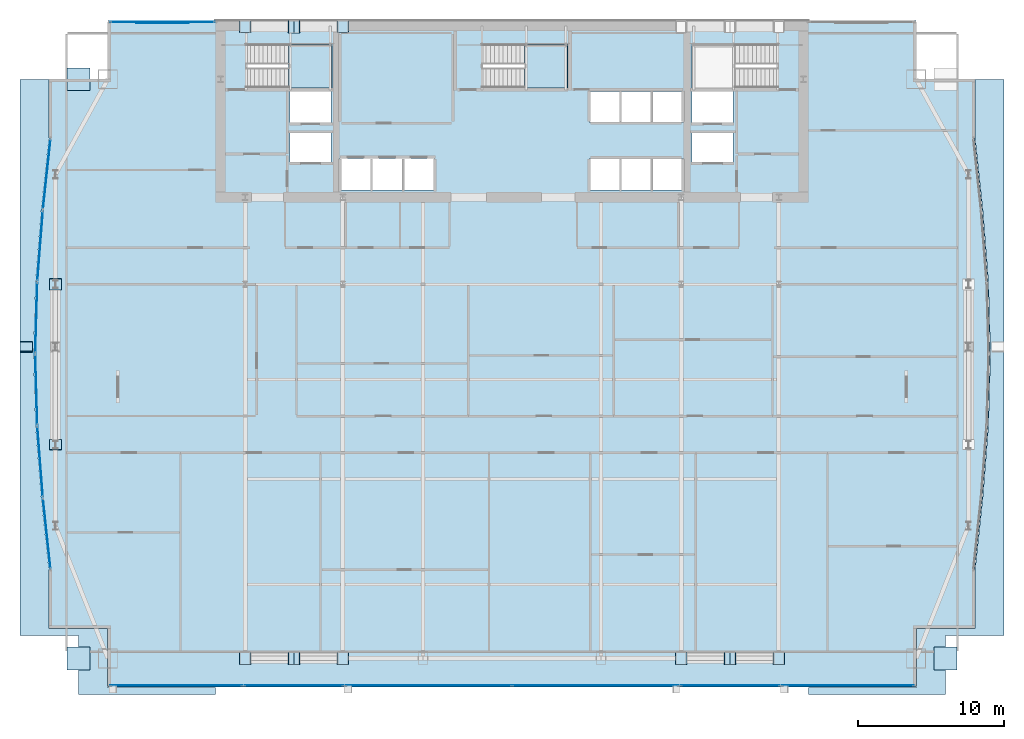
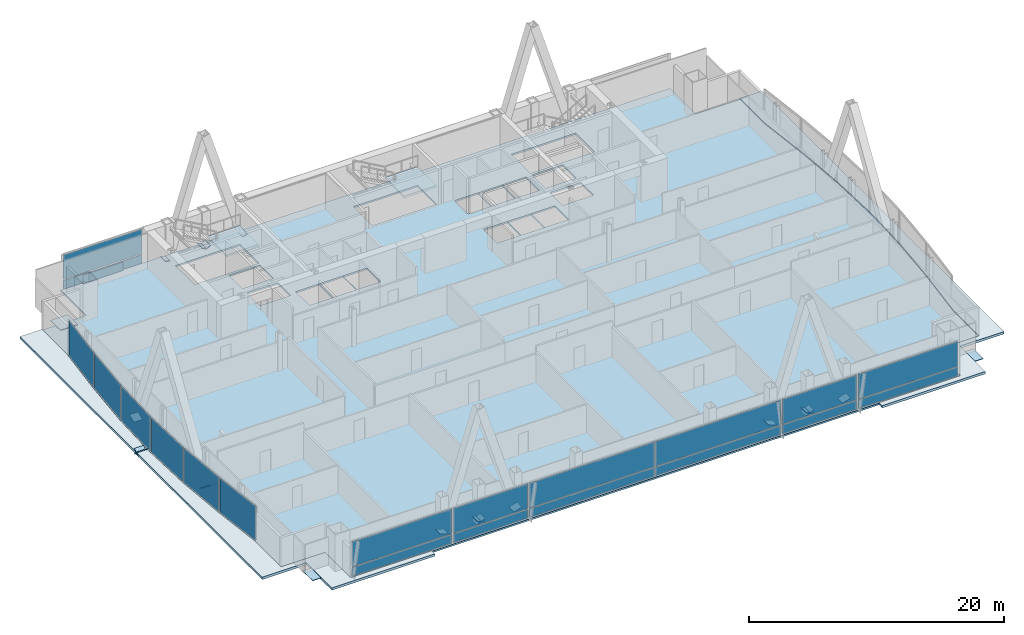
# One storey, part 23 of 30: 40 plates, 5 slabs, 14 elements without a shape of their own.
"""IFC4 building model written with IfcOpenShell, lengths in metres."""

import ifcopenshell
import ifcopenshell.guid

model = None  # the IFC model being written
_history = None  # IfcOwnerHistory: only IFC2X3 demands one
_inside = {}  # id of a spatial element -> (the spatial element, [elements in it])
_under = {}  # id of a project, library or spatial element -> (it, [spatial elements below it])
_declared = {}  # id of a project -> (the project, [libraries it declares])
_typed = {}  # id of a type object -> (the type object, [elements of that type])
_made_of = {}  # id of a material, layer set ... -> (it, [elements and type objects made of it])


def new_model(schema):
    """Start an empty IFC model of exactly this schema.

    Asked for "IFC4X3", IfcOpenShell would pick the latest addendum, in which some entities
    have other attributes; the version numbers below select the first issue.
    IFC2X3 requires an IfcOwnerHistory on every rooted entity: one is made here for all.
    """
    global model, _history
    if schema == "IFC4X3":
        model = ifcopenshell.file(schema_version=(4, 3, 0, 0))
    else:
        model = ifcopenshell.file(schema=schema)
    _inside.clear()
    _under.clear()
    _declared.clear()
    _typed.clear()
    _made_of.clear()
    _history = None
    if model.schema == "IFC2X3":
        org = make("IfcOrganization", Name="unknown")
        user = make(
            "IfcPersonAndOrganization",
            ThePerson=make("IfcPerson", FamilyName="unknown"),
            TheOrganization=org,
        )
        app = make(
            "IfcApplication",
            ApplicationDeveloper=org,
            Version="unknown",
            ApplicationFullName="unknown",
            ApplicationIdentifier="unknown",
        )
        _history = make(
            "IfcOwnerHistory",
            OwningUser=user,
            OwningApplication=app,
            ChangeAction="ADDED",
            CreationDate=0,
        )
    return model


def make(cls, **values):
    """One entity of the class cls with the attributes given. An attribute that is None is left unset."""
    return model.create_entity(
        cls, **{name: value for name, value in values.items() if value is not None}
    )


def rooted(cls, **values):
    """An entity with a GlobalId (a new one), such as an element, a storey or a relation."""
    return make(cls, GlobalId=ifcopenshell.guid.new(), OwnerHistory=_history, **values)


def si_unit(unit_type, name, prefix=None):
    """IfcSIUnit, for example si_unit("LENGTHUNIT", "METRE", prefix="MILLI")."""
    return make("IfcSIUnit", UnitType=unit_type, Prefix=prefix, Name=name)


def assignment(units):
    """IfcUnitAssignment: the units of a project."""
    return None if units is None else make("IfcUnitAssignment", Units=units)


def point(xyz):
    """IfcCartesianPoint."""
    return None if xyz is None else make("IfcCartesianPoint", Coordinates=xyz)


def direction(xyz):
    """IfcDirection."""
    return None if xyz is None else make("IfcDirection", DirectionRatios=xyz)


def frame(location, z_axis=None, x_axis=None):
    """IfcAxis2Placement3D, a coordinate frame: its origin and axes. An axis left out is left unset."""
    return make(
        "IfcAxis2Placement3D",
        Location=point(location),
        Axis=direction(z_axis),
        RefDirection=direction(x_axis),
    )


def frame_2d(location, x_axis=None):
    """IfcAxis2Placement2D, a coordinate frame in the plane: its origin and x axis."""
    return make(
        "IfcAxis2Placement2D", Location=point(location), RefDirection=direction(x_axis)
    )


def origin():
    """The frame at (0, 0, 0) with its axes left unset."""
    return frame((0.0, 0.0, 0.0))


def origin_2d():
    """The frame at (0, 0) in the plane with its x axis left unset."""
    return frame_2d((0.0, 0.0))


def place(relative_to, where):
    """IfcLocalPlacement: puts the frame where relative to a parent placement (None: the world)."""
    return make(
        "IfcLocalPlacement", PlacementRelTo=relative_to, RelativePlacement=where
    )


def context(
    kind, dimensions, precision=None, world=None, true_north=None, identifier=None
):
    """IfcGeometricRepresentationContext, for example the 3D "Model" context."""
    return make(
        "IfcGeometricRepresentationContext",
        ContextIdentifier=identifier,
        ContextType=kind,
        CoordinateSpaceDimension=dimensions,
        Precision=precision,
        WorldCoordinateSystem=world,
        TrueNorth=true_north,
    )


def subcontext(parent, identifier, kind, view, scale=None):
    """IfcGeometricRepresentationSubContext, for example "Body" below "Model"."""
    return make(
        "IfcGeometricRepresentationSubContext",
        ContextIdentifier=identifier,
        ContextType=kind,
        ParentContext=parent,
        TargetScale=scale,
        TargetView=view,
    )


def project(units=None, contexts=None):
    """IfcProject with its units and contexts."""
    return rooted(
        "IfcProject",
        Name="project",
        RepresentationContexts=contexts,
        UnitsInContext=assignment(units),
    )


def spatial(cls, under=None, at=None, **own):
    """A site, building, storey or space (cls), placed at a placement, below another one or the project."""
    s = rooted(cls, ObjectPlacement=at, **own)
    if under is not None:
        _under.setdefault(under.id(), (under, []))[1].append(s)
    return s


def polyline(points):
    """IfcPolyline through the points."""
    return make("IfcPolyline", Points=[point(p) for p in points])


def profile(cls, at=None, kind="AREA", **sizes):
    """A parametric profile (cls). Its sizes go by their IFC names, for example OverallWidth=200.0."""
    return make(cls, ProfileType=kind, Position=at, **sizes)


def rectangle(**sizes):
    """IfcRectangleProfileDef."""
    return profile("IfcRectangleProfileDef", **sizes)


def outline(outer, holes=None, kind="AREA"):
    """IfcArbitraryClosedProfileDef: a profile drawn as a closed curve; with holes, ...WithVoids."""
    if holes is None:
        return make("IfcArbitraryClosedProfileDef", ProfileType=kind, OuterCurve=outer)
    return make(
        "IfcArbitraryProfileDefWithVoids",
        ProfileType=kind,
        OuterCurve=outer,
        InnerCurves=holes,
    )


def extrude(swept, where, along, depth):
    """IfcExtrudedAreaSolid: the profile swept, set in the frame where, extruded along a direction by depth."""
    return make(
        "IfcExtrudedAreaSolid",
        SweptArea=swept,
        Position=where,
        ExtrudedDirection=direction(along),
        Depth=depth,
    )


def shape(context_of_items, identifier, shape_type, items):
    """IfcShapeRepresentation: the items that make up one representation, for example the "Body"."""
    return make(
        "IfcShapeRepresentation",
        ContextOfItems=context_of_items,
        RepresentationIdentifier=identifier,
        RepresentationType=shape_type,
        Items=items,
    )


def material(Name=None, Category=None):
    """IfcMaterial."""
    return make("IfcMaterial", Name=Name, Category=Category)


def layer(
    of_material, thickness, ventilated=None, Name=None, Category=None, Priority=None
):
    """IfcMaterialLayer: one layer of a wall or slab, of a material (None: an air gap)."""
    return make(
        "IfcMaterialLayer",
        Material=of_material,
        LayerThickness=thickness,
        IsVentilated=ventilated,
        Name=Name,
        Category=Category,
        Priority=Priority,
    )


def layer_set(layers, Name=None):
    """IfcMaterialLayerSet."""
    return make("IfcMaterialLayerSet", MaterialLayers=layers, LayerSetName=Name)


def made_of(thing, what):
    """Note that an element or type object is made of a material, layer set ...; save() writes the relation."""
    if what is not None:
        _made_of.setdefault(what.id(), (what, []))[1].append(thing)
    return thing


def type_object(cls, material=None, **own):
    """A type object (cls), such as IfcWallType, which elements share."""
    return made_of(rooted(cls, **own), material)


def element(
    cls,
    number,
    at=None,
    inside=None,
    cuts=None,
    type_object=None,
    material=None,
    context=None,
    identifier="Body",
    shape_type=None,
    held_by="IfcProductDefinitionShape",
    body=None,
    shapes=None,
    **own,
):
    """One element of the class cls, such as IfcWall. Its Tag is "e" and its number.

    at: its placement. inside: the storey or other place that contains it. cuts: it is an
    opening in that element (IfcRelVoidsElement). A single representation is given by context,
    identifier, shape_type and body (its items); several are given by shapes. held_by: the class
    of the entity that holds the representations. save() writes the other relations.
    """
    e = rooted(cls, Tag="e%d" % number, ObjectPlacement=at, **own)
    if body is not None:
        shapes = [shape(context, identifier, shape_type, body)]
    if shapes is not None:
        e.Representation = make(held_by, Representations=shapes)
    if inside is not None:
        _inside.setdefault(inside.id(), (inside, []))[1].append(e)
    if cuts is not None:
        rooted(
            "IfcRelVoidsElement", RelatingBuildingElement=cuts, RelatedOpeningElement=e
        )
    if type_object is not None:
        _typed.setdefault(type_object.id(), (type_object, []))[1].append(e)
    return made_of(e, material)


def aggregate(whole, parts):
    """IfcRelAggregates: a whole, such as a stair, and the parts it consists of."""
    return rooted("IfcRelAggregates", RelatingObject=whole, RelatedObjects=parts)


def save(model, path):
    """Write the relations noted so far, then the file.

    IfcRelAggregates (storeys below a building ...), IfcRelContainedInSpatialStructure (elements
    in a storey), IfcRelDefinesByType, IfcRelAssociatesMaterial and IfcRelDeclares: one each for
    every whole, place, type object, material and project.
    """
    for whole, parts in _under.values():
        aggregate(whole, parts)
    for where, things in _inside.values():
        rooted(
            "IfcRelContainedInSpatialStructure",
            RelatedElements=things,
            RelatingStructure=where,
        )
    for kind, things in _typed.values():
        rooted("IfcRelDefinesByType", RelatedObjects=things, RelatingType=kind)
    for what, things in _made_of.values():
        rooted("IfcRelAssociatesMaterial", RelatedObjects=things, RelatingMaterial=what)
    for by, libraries in _declared.values():
        rooted("IfcRelDeclares", RelatingContext=by, RelatedDefinitions=libraries)
    model.write(path)


model = new_model("IFC4")

# Units and contexts
model_context = context("Model", 3, precision=1e-05, world=origin(), true_north=direction((0.0, 1.0)))
body_context = subcontext(model_context, "Body", "Model", "MODEL_VIEW")
ifc_project = project(units=[si_unit("LENGTHUNIT", "METRE"), si_unit("AREAUNIT", "SQUARE_METRE"), si_unit("VOLUMEUNIT", "CUBIC_METRE"), si_unit("PLANEANGLEUNIT", "RADIAN"), si_unit("MASSUNIT", "GRAM", prefix="KILO")], contexts=[model_context])

# Site, building, storey
site_placement = place(None, origin())
site = spatial("IfcSite", under=ifc_project, at=site_placement, CompositionType="ELEMENT")
building_placement = place(site_placement, origin())
building = spatial("IfcBuilding", under=site, at=building_placement, Name="Khoronbel Lancet Exchange", CompositionType="ELEMENT")
storey_placement = place(building_placement, frame((0.0, 0.0, 136.199951171875)))
storey = spatial("IfcBuildingStorey", under=building, at=storey_placement, Name="L33", CompositionType="ELEMENT", Elevation=136.199951171875)

# Curtain wall, plate
ifc_material_1 = material(Name="Low-E Solar Control Insulating Glass", Category="glass")
curtain_wall_type_1 = type_object("IfcCurtainWallType", Name="CW-4", PredefinedType="NOTDEFINED", material=ifc_material_1)
curtain_wall_1_placement = place(storey_placement, origin())
curtain_wall_1 = element("IfcCurtainWall", 1, at=curtain_wall_1_placement, inside=storey, type_object=curtain_wall_type_1, Name="Unitised curtain wall CW-L33-E05", PredefinedType="NOTDEFINED")
ifc_material_2 = material(Name="Bronze-Anodised Aluminium 6063-T6", Category="aluminium")
ifc_layer_1 = layer(ifc_material_2, 0.050048828125, Name="Bronze-Anodised Aluminium 6063-T6")
ifc_layer_set_1 = layer_set([ifc_layer_1], Name="Bronze-Anodised Aluminium 6063-T6")
plate_type_1 = type_object("IfcPlateType", Name="PLT-CSP1", PredefinedType="SHEET", material=ifc_layer_set_1)
plate_1_placement = place(storey_placement, frame((4.22265625, 23.58154296875, 0.0849609375), z_axis=(0.0, 0.0, 1.0), x_axis=(-0.077920756627, 0.996959555693, 0.0)))
plate_1 = element("IfcPlate", 2, at=plate_1_placement, type_object=plate_type_1, Name="CW4 panel 1.1", PredefinedType="CURTAIN_PANEL", context=body_context, shape_type="SweptSolid", body=[
    extrude(rectangle(XDim=4.778076171875, YDim=0.0380859375, at=origin_2d()), origin(), (0.0, 0.0, 1.0), 3.27001953125),
])
aggregate(curtain_wall_1, [plate_1])

curtain_wall_2_placement = place(storey_placement, origin())
curtain_wall_2 = element("IfcCurtainWall", 3, at=curtain_wall_2_placement, inside=storey, type_object=curtain_wall_type_1, Name="Unitised curtain wall CW-L33-E06", PredefinedType="NOTDEFINED")
plate_2_placement = place(storey_placement, frame((3.960205078125, 28.494140625, 0.0849609375), z_axis=(0.0, 0.0, 1.0), x_axis=(-0.028612641702, 0.999590574553, 0.0)))
plate_2 = element("IfcPlate", 4, at=plate_2_placement, type_object=plate_type_1, Name="CW4 panel 1.1", PredefinedType="CURTAIN_PANEL", context=body_context, shape_type="SweptSolid", body=[
    extrude(rectangle(XDim=4.763916015625, YDim=0.0380859375, at=origin_2d()), origin(), (0.0, 0.0, 1.0), 3.27001953125),
])
aggregate(curtain_wall_2, [plate_2])

curtain_wall_3_placement = place(storey_placement, origin())
curtain_wall_3 = element("IfcCurtainWall", 5, at=curtain_wall_3_placement, inside=storey, type_object=curtain_wall_type_1, Name="Unitised curtain wall CW-L33-E07", PredefinedType="NOTDEFINED")
plate_3_placement = place(storey_placement, frame((3.960205078125, 33.406005859375, 0.0849609375), z_axis=(0.0, 0.0, 1.0), x_axis=(0.028612641702, 0.999590574553, 0.0)))
plate_3 = element("IfcPlate", 6, at=plate_3_placement, type_object=plate_type_1, Name="CW4 panel 1.1", PredefinedType="CURTAIN_PANEL", context=body_context, shape_type="SweptSolid", body=[
    extrude(rectangle(XDim=4.763916015625, YDim=0.0380859375, at=origin_2d()), origin(), (0.0, 0.0, 1.0), 3.27001953125),
])
aggregate(curtain_wall_3, [plate_3])

curtain_wall_4_placement = place(storey_placement, origin())
curtain_wall_4 = element("IfcCurtainWall", 7, at=curtain_wall_4_placement, inside=storey, type_object=curtain_wall_type_1, Name="Unitised curtain wall CW-L33-E08", PredefinedType="NOTDEFINED")
plate_4_placement = place(storey_placement, frame((4.22265625, 38.318359375, 0.0849609375), z_axis=(0.0, 0.0, 1.0), x_axis=(0.077920756627, 0.996959555693, 0.0)))
plate_4 = element("IfcPlate", 8, at=plate_4_placement, type_object=plate_type_1, Name="CW4 panel 1.1", PredefinedType="CURTAIN_PANEL", context=body_context, shape_type="SweptSolid", body=[
    extrude(rectangle(XDim=4.778076171875, YDim=0.0380859375, at=origin_2d()), origin(), (0.0, 0.0, 1.0), 3.27001953125),
])
aggregate(curtain_wall_4, [plate_4])

curtain_wall_type_2 = type_object("IfcCurtainWallType", Name="CW-3", PredefinedType="NOTDEFINED", material=ifc_material_1)
curtain_wall_5_placement = place(storey_placement, origin())
curtain_wall_5 = element("IfcCurtainWall", 9, at=curtain_wall_5_placement, inside=storey, type_object=curtain_wall_type_2, Name="Unitised curtain wall CW-L33-NWFLK", PredefinedType="NOTDEFINED")
plate_5_placement = place(storey_placement, frame((12.580078125, 53.550048828125, 0.0498046875), z_axis=(0.0, 0.0, 1.0), x_axis=(-1.0, 0.0, 0.0)))
plate_5 = element("IfcPlate", 10, at=plate_5_placement, type_object=plate_type_1, Name="Insulated bronze spandrel cassette CW-L33-NWFLK", PredefinedType="SHEET", context=body_context, shape_type="SweptSolid", body=[
    extrude(rectangle(XDim=3.60009765625, YDim=0.050048828125, at=origin_2d()), origin(), (0.0, 0.0, 1.0), 0.800048828125),
])

# Curtain wall, plates
curtain_wall_6_placement = place(storey_placement, origin())
curtain_wall_6 = element("IfcCurtainWall", 11, at=curtain_wall_6_placement, inside=storey, type_object=curtain_wall_type_2, Name="Unitised curtain wall CW-L33-SWB", PredefinedType="NOTDEFINED")
plate_6_placement = place(storey_placement, frame((21.550048828125, 8.2900390625, 0.0849609375), z_axis=(0.0, 0.0, 1.0), x_axis=(1.0, 0.0, 0.0)))
plate_6 = element("IfcPlate", 12, at=plate_6_placement, type_object=plate_type_1, Name="CW3 panel 1.1", PredefinedType="CURTAIN_PANEL", context=body_context, shape_type="SweptSolid", body=[
    extrude(rectangle(XDim=6.72998046875, YDim=0.0380859375, at=origin_2d()), origin(), (0.0, 0.0, 1.0), 0.822509765625),
])
plate_7_placement = place(storey_placement, frame((21.550048828125, 8.2900390625, 0.99267578125), z_axis=(0.0, 0.0, 1.0), x_axis=(1.0, 0.0, 0.0)))
plate_7 = element("IfcPlate", 13, at=plate_7_placement, type_object=plate_type_1, Name="CW3 panel 1.2", PredefinedType="CURTAIN_PANEL", context=body_context, shape_type="SweptSolid", body=[
    extrude(rectangle(XDim=6.72998046875, YDim=0.0380859375, at=origin_2d()), origin(), (0.0, 0.0, 1.0), 2.362548828125),
])
aggregate(curtain_wall_6, [plate_6, plate_7])

curtain_wall_7_placement = place(storey_placement, origin())
curtain_wall_7 = element("IfcCurtainWall", 14, at=curtain_wall_7_placement, inside=storey, type_object=curtain_wall_type_2, Name="Unitised curtain wall CW-L33-SEB", PredefinedType="NOTDEFINED")
plate_8_placement = place(storey_placement, frame((51.35009765625, 8.2900390625, 0.0849609375), z_axis=(0.0, 0.0, 1.0), x_axis=(1.0, 0.0, 0.0)))
plate_8 = element("IfcPlate", 15, at=plate_8_placement, type_object=plate_type_1, Name="CW3 panel 1.1", PredefinedType="CURTAIN_PANEL", context=body_context, shape_type="SweptSolid", body=[
    extrude(rectangle(XDim=6.72998046875, YDim=0.0380859375, at=origin_2d()), origin(), (0.0, 0.0, 1.0), 0.822509765625),
])
plate_9_placement = place(storey_placement, frame((51.35009765625, 8.2900390625, 0.99267578125), z_axis=(0.0, 0.0, 1.0), x_axis=(1.0, 0.0, 0.0)))
plate_9 = element("IfcPlate", 16, at=plate_9_placement, type_object=plate_type_1, Name="CW3 panel 1.2", PredefinedType="CURTAIN_PANEL", context=body_context, shape_type="SweptSolid", body=[
    extrude(rectangle(XDim=6.72998046875, YDim=0.0380859375, at=origin_2d()), origin(), (0.0, 0.0, 1.0), 2.362548828125),
])
aggregate(curtain_wall_7, [plate_8, plate_9])

# Plate
ifc_layer_2 = layer(ifc_material_1, 0.035888671875, Name="Low-E Solar Control Insulating Glass")
ifc_layer_set_2 = layer_set([ifc_layer_2], Name="Low-E Solar Control Insulating Glass")
plate_type_2 = type_object("IfcPlateType", Name="PLT-CWP1", PredefinedType="CURTAIN_PANEL", material=ifc_layer_set_2)
plate_10_placement = place(storey_placement, frame((12.580078125, 53.610107421875, 0.0849609375), z_axis=(0.0, 0.0, 1.0), x_axis=(-1.0, 0.0, 0.0)))
plate_10 = element("IfcPlate", 17, at=plate_10_placement, type_object=plate_type_2, Name="CW3 panel 1.1", PredefinedType="CURTAIN_PANEL", context=body_context, shape_type="SweptSolid", body=[
    extrude(rectangle(XDim=7.110107421875, YDim=0.0380859375, at=origin_2d()), origin(), (0.0, 0.0, 1.0), 0.822509765625),
])

plate_11_placement = place(storey_placement, frame((12.580078125, 53.610107421875, 0.99267578125), z_axis=(0.0, 0.0, 1.0), x_axis=(-1.0, 0.0, 0.0)))
plate_11 = element("IfcPlate", 18, at=plate_11_placement, type_object=plate_type_2, Name="CW3 panel 1.2", PredefinedType="CURTAIN_PANEL", context=body_context, shape_type="SweptSolid", body=[
    extrude(rectangle(XDim=7.110107421875, YDim=0.0380859375, at=origin_2d()), origin(), (0.0, 0.0, 1.0), 2.362548828125),
])

aggregate(curtain_wall_5, [plate_10, plate_11, plate_5])

# Curtain wall, plates
curtain_wall_8_placement = place(storey_placement, origin())
curtain_wall_8 = element("IfcCurtainWall", 19, at=curtain_wall_8_placement, inside=storey, type_object=curtain_wall_type_2, Name="Unitised curtain wall CW-L33-SWV", PredefinedType="NOTDEFINED")
plate_12_placement = place(storey_placement, frame((13.52001953125, 8.2900390625, 0.0849609375), z_axis=(0.0, 0.0, 1.0), x_axis=(1.0, 0.0, 0.0)))
plate_12 = element("IfcPlate", 20, at=plate_12_placement, type_object=plate_type_2, Name="CW3 panel 1.1", PredefinedType="CURTAIN_PANEL", context=body_context, shape_type="SweptSolid", body=[
    extrude(rectangle(XDim=8.989990234375, YDim=0.0380859375, at=origin_2d()), origin(), (0.0, 0.0, 1.0), 0.822509765625),
])
plate_13_placement = place(storey_placement, frame((13.52001953125, 8.2900390625, 0.99267578125), z_axis=(0.0, 0.0, 1.0), x_axis=(1.0, 0.0, 0.0)))
plate_13 = element("IfcPlate", 21, at=plate_13_placement, type_object=plate_type_2, Name="CW3 panel 1.2", PredefinedType="CURTAIN_PANEL", context=body_context, shape_type="SweptSolid", body=[
    extrude(rectangle(XDim=8.989990234375, YDim=0.0380859375, at=origin_2d()), origin(), (0.0, 0.0, 1.0), 2.362548828125),
])
aggregate(curtain_wall_8, [plate_12, plate_13])

curtain_wall_9_placement = place(storey_placement, origin())
curtain_wall_9 = element("IfcCurtainWall", 22, at=curtain_wall_9_placement, inside=storey, type_object=curtain_wall_type_2, Name="Unitised curtain wall CW-L33-SCV", PredefinedType="NOTDEFINED")
plate_14_placement = place(storey_placement, frame((30.746337890625, 8.2900390625, 0.0849609375), z_axis=(0.0, 0.0, 1.0), x_axis=(1.0, 0.0, 0.0)))
plate_14 = element("IfcPlate", 23, at=plate_14_placement, type_object=plate_type_2, Name="CW3 panel 1.1", PredefinedType="CURTAIN_PANEL", context=body_context, shape_type="SweptSolid", body=[
    extrude(rectangle(XDim=11.322509765625, YDim=0.0380859375, at=origin_2d()), origin(), (0.0, 0.0, 1.0), 0.822509765625),
])
plate_15_placement = place(storey_placement, frame((30.746337890625, 8.2900390625, 0.99267578125), z_axis=(0.0, 0.0, 1.0), x_axis=(1.0, 0.0, 0.0)))
plate_15 = element("IfcPlate", 24, at=plate_15_placement, type_object=plate_type_2, Name="CW3 panel 1.2", PredefinedType="CURTAIN_PANEL", context=body_context, shape_type="SweptSolid", body=[
    extrude(rectangle(XDim=11.322509765625, YDim=0.0380859375, at=origin_2d()), origin(), (0.0, 0.0, 1.0), 2.362548828125),
])
plate_16_placement = place(storey_placement, frame((42.15380859375, 8.2900390625, 0.0849609375), z_axis=(0.0, 0.0, 1.0), x_axis=(1.0, 0.0, 0.0)))
plate_16 = element("IfcPlate", 25, at=plate_16_placement, type_object=plate_type_2, Name="CW3 panel 2.1", PredefinedType="CURTAIN_PANEL", context=body_context, shape_type="SweptSolid", body=[
    extrude(rectangle(XDim=11.322509765625, YDim=0.0380859375, at=origin_2d()), origin(), (0.0, 0.0, 1.0), 0.822509765625),
])
plate_17_placement = place(storey_placement, frame((42.15380859375, 8.2900390625, 0.99267578125), z_axis=(0.0, 0.0, 1.0), x_axis=(1.0, 0.0, 0.0)))
plate_17 = element("IfcPlate", 26, at=plate_17_placement, type_object=plate_type_2, Name="CW3 panel 2.2", PredefinedType="CURTAIN_PANEL", context=body_context, shape_type="SweptSolid", body=[
    extrude(rectangle(XDim=11.322509765625, YDim=0.0380859375, at=origin_2d()), origin(), (0.0, 0.0, 1.0), 2.362548828125),
])
aggregate(curtain_wall_9, [plate_14, plate_15, plate_16, plate_17])

curtain_wall_10_placement = place(storey_placement, origin())
curtain_wall_10 = element("IfcCurtainWall", 27, at=curtain_wall_10_placement, inside=storey, type_object=curtain_wall_type_2, Name="Unitised curtain wall CW-L33-SEV", PredefinedType="NOTDEFINED")
plate_18_placement = place(storey_placement, frame((59.3798828125, 8.2900390625, 0.0849609375), z_axis=(0.0, 0.0, 1.0), x_axis=(1.0, 0.0, 0.0)))
plate_18 = element("IfcPlate", 28, at=plate_18_placement, type_object=plate_type_2, Name="CW3 panel 1.1", PredefinedType="CURTAIN_PANEL", context=body_context, shape_type="SweptSolid", body=[
    extrude(rectangle(XDim=8.989990234375, YDim=0.0380859375, at=origin_2d()), origin(), (0.0, 0.0, 1.0), 0.822509765625),
])
plate_19_placement = place(storey_placement, frame((59.3798828125, 8.2900390625, 0.99267578125), z_axis=(0.0, 0.0, 1.0), x_axis=(1.0, 0.0, 0.0)))
plate_19 = element("IfcPlate", 29, at=plate_19_placement, type_object=plate_type_2, Name="CW3 panel 1.2", PredefinedType="CURTAIN_PANEL", context=body_context, shape_type="SweptSolid", body=[
    extrude(rectangle(XDim=8.989990234375, YDim=0.0380859375, at=origin_2d()), origin(), (0.0, 0.0, 1.0), 2.362548828125),
])
aggregate(curtain_wall_10, [plate_18, plate_19])

# Curtain wall, plate
curtain_wall_11_placement = place(storey_placement, origin())
curtain_wall_11 = element("IfcCurtainWall", 30, at=curtain_wall_11_placement, inside=storey, type_object=curtain_wall_type_1, Name="Unitised curtain wall CW-L33-E04", PredefinedType="NOTDEFINED")
ifc_material_3 = material(Name="Ceramic-Fritted Laminated Insulating Glass", Category="glass")
ifc_layer_3 = layer(ifc_material_3, 0.0419921875, Name="Ceramic-Fritted Laminated Insulating Glass")
ifc_layer_set_3 = layer_set([ifc_layer_3], Name="Ceramic-Fritted Laminated Insulating Glass")
plate_type_3 = type_object("IfcPlateType", Name="PLT-CWP2", PredefinedType="CURTAIN_PANEL", material=ifc_layer_set_3)
plate_20_placement = place(storey_placement, frame((4.67724609375, 18.664794921875, 0.0849609375), z_axis=(0.0, 0.0, 1.0), x_axis=(-0.106180610586, 0.994346859972, 0.0)))
plate_20 = element("IfcPlate", 31, at=plate_20_placement, type_object=plate_type_3, Name="CW4 panel 1.1", PredefinedType="CURTAIN_PANEL", context=body_context, shape_type="SweptSolid", body=[
    extrude(rectangle(XDim=4.798095703125, YDim=0.0380859375, at=origin_2d()), origin(), (0.0, 0.0, 1.0), 3.27001953125),
])
aggregate(curtain_wall_11, [plate_20])

curtain_wall_12_placement = place(storey_placement, origin())
curtain_wall_12 = element("IfcCurtainWall", 32, at=curtain_wall_12_placement, inside=storey, type_object=curtain_wall_type_1, Name="Unitised curtain wall CW-L33-E09", PredefinedType="NOTDEFINED")
plate_21_placement = place(storey_placement, frame((4.67724609375, 43.235107421875, 0.0849609375), z_axis=(0.0, 0.0, 1.0), x_axis=(0.106180610586, 0.994346859972, 0.0)))
plate_21 = element("IfcPlate", 33, at=plate_21_placement, type_object=plate_type_3, Name="CW4 panel 1.1", PredefinedType="CURTAIN_PANEL", context=body_context, shape_type="SweptSolid", body=[
    extrude(rectangle(XDim=4.798095703125, YDim=0.0380859375, at=origin_2d()), origin(), (0.0, 0.0, 1.0), 3.27001953125),
])
aggregate(curtain_wall_12, [plate_21])

# Plates
ifc_material_4 = material(Name="Steel S460", Category="steel")
ifc_layer_4 = layer(ifc_material_4, 0.044921875, Name="Steel S460")
ifc_layer_set_4 = layer_set([ifc_layer_4], Name="Steel S460")
plate_type_4 = type_object("IfcPlateType", Name="PLT-ECP1", PredefinedType="USERDEFINED", material=ifc_layer_set_4)
plate_22_placement = place(storey_placement, frame((0.0, 0.0, -0.011962890625)))
element("IfcPlate", 34, at=plate_22_placement, inside=storey, type_object=plate_type_4, Name="Hollow end cap plate PLT-CAP-COL-L32-MC-SW-TOP", ObjectType="STIFFENER_PLATE", PredefinedType="USERDEFINED", context=body_context, shape_type="SweptSolid", body=[
    extrude(outline(polyline([(6.070068359375, 9.3701171875), (7.6298828125, 9.3701171875), (7.6298828125, 10.929931640625), (6.070068359375, 10.929931640625), (6.070068359375, 9.3701171875)])), origin(), (0.0, 0.0, 1.0), 0.044921875),
])
plate_23_placement = place(storey_placement, frame((0.0, 0.0, -0.011962890625)))
element("IfcPlate", 35, at=plate_23_placement, inside=storey, type_object=plate_type_4, Name="Hollow end cap plate PLT-CAP-COL-L32-MC-SE-TOP", ObjectType="STIFFENER_PLATE", PredefinedType="USERDEFINED", context=body_context, shape_type="SweptSolid", body=[
    extrude(outline(polyline([(65.27001953125, 9.3701171875), (66.830078125, 9.3701171875), (66.830078125, 10.929931640625), (65.27001953125, 10.929931640625), (65.27001953125, 9.3701171875)])), origin(), (0.0, 0.0, 1.0), 0.044921875),
])
plate_24_placement = place(storey_placement, frame((0.0, 0.0, -0.011962890625)))
element("IfcPlate", 36, at=plate_24_placement, inside=storey, type_object=plate_type_4, Name="Hollow end cap plate PLT-CAP-COL-L32-MC-NW-TOP", ObjectType="STIFFENER_PLATE", PredefinedType="USERDEFINED", context=body_context, shape_type="SweptSolid", body=[
    extrude(outline(polyline([(6.070068359375, 48.919921875), (7.6298828125, 48.919921875), (7.6298828125, 50.47998046875), (6.070068359375, 50.47998046875), (6.070068359375, 48.919921875)])), origin(), (0.0, 0.0, 1.0), 0.044921875),
])
for number, where, z_axis, x_axis, name in (
    (37, (21.95751953125, 9.72998046875, -0.146728515625), (0.420513526922, 0.0, 0.907286268867), (0.0, 1.0, 0.0), "Hollow end cap plate PLT-CAP-MEM-MB-T10-S-W-L-1"),
    (38, (21.16748046875, 10.570068359375, -0.146728515625), (-0.420513526922, 0.0, 0.907286268867), (0.0, -1.0, 0.0), "Hollow end cap plate PLT-CAP-MEM-MB-T10-S-W-R-1"),
    (39, (51.732421875, 9.72998046875, -0.146728515625), (0.420513526922, 0.0, 0.907286268867), (0.0, 1.0, 0.0), "Hollow end cap plate PLT-CAP-MEM-MB-T10-S-E-L-1"),
):
    element("IfcPlate", number, at=place(storey_placement, frame(where, z_axis=z_axis, x_axis=x_axis)), inside=storey, type_object=plate_type_4, Name=name, ObjectType="STIFFENER_PLATE", PredefinedType="USERDEFINED", context=body_context, shape_type="SweptSolid", body=[
        extrude(outline(polyline([(0.0, 0.0), (0.840087890625, 0.0), (0.840087890625, 0.840087890625), (0.0, 0.840087890625), (0.0, 0.0)])), origin(), (0.0, 0.0, -1.0), 0.044921875),
    ])
plate_25_placement = place(storey_placement, frame((50.942626953125, 10.570068359375, -0.146728515625), z_axis=(-0.420624428562, 0.0, 0.907234859393), x_axis=(0.0, -1.0, 0.0)))
element("IfcPlate", 40, at=plate_25_placement, inside=storey, type_object=plate_type_4, Name="Hollow end cap plate PLT-CAP-MEM-MB-T10-S-E-R-1", ObjectType="STIFFENER_PLATE", PredefinedType="USERDEFINED", context=body_context, shape_type="SweptSolid", body=[
    extrude(outline(polyline([(0.0, 0.0), (0.840087890625, 0.0), (0.840087890625, 0.83984375), (0.0, 0.83984375), (0.0, 0.0)])), origin(), (0.0, 0.0, -1.0), 0.044921875),
])
for number, where, z_axis, x_axis, name in (
    (41, (21.95751953125, 52.860107421875, -0.146728515625), (0.420513526922, 0.0, 0.907286268867), (0.0, 1.0, 0.0), "Hollow end cap plate PLT-CAP-MEM-MB-T10-N-W-L-1"),
    (42, (21.16748046875, 53.699951171875, -0.146728515625), (-0.420513526922, 0.0, 0.907286268867), (0.0, -1.0, 0.0), "Hollow end cap plate PLT-CAP-MEM-MB-T10-N-W-R-1"),
):
    element("IfcPlate", number, at=place(storey_placement, frame(where, z_axis=z_axis, x_axis=x_axis)), inside=storey, type_object=plate_type_4, Name=name, ObjectType="STIFFENER_PLATE", PredefinedType="USERDEFINED", context=body_context, shape_type="SweptSolid", body=[
        extrude(outline(polyline([(0.0, 0.0), (0.83984375, 0.0), (0.83984375, 0.840087890625), (0.0, 0.840087890625), (0.0, 0.0)])), origin(), (0.0, 0.0, -1.0), 0.044921875),
    ])
for number, where, z_axis, x_axis, name in (
    (43, (3.68994140625, 31.75537109375, -0.26123046875), (0.0, 0.679859996774, 0.73334192897), (-1.0, 0.0, 0.0), "Hollow end cap plate PLT-CAP-MEM-MB-T10-W-P-L-1"),
    (44, (2.85009765625, 31.047119140625, -0.18603515625), (0.0, -0.510686489136, 0.859767009029), (1.0, 0.0, 0.0), "Hollow end cap plate PLT-CAP-MEM-MB-T10-W-P-R-1"),
):
    element("IfcPlate", number, at=place(storey_placement, frame(where, z_axis=z_axis, x_axis=x_axis)), inside=storey, type_object=plate_type_4, Name=name, ObjectType="STIFFENER_PLATE", PredefinedType="USERDEFINED", context=body_context, shape_type="SweptSolid", body=[
        extrude(outline(polyline([(0.0, 0.0), (0.83984375, 0.0), (0.83984375, 0.83984375), (0.0, 0.83984375), (0.0, 0.0)])), origin(), (0.0, 0.0, -1.0), 0.044921875),
    ])
for number, where, z_axis, x_axis, name in (
    (45, (18.610595703125, 9.75, -0.106689453125), (0.295458235126, 0.0, 0.955355656966), (0.0, 1.0, 0.0), "Hollow end cap plate PLT-CAP-MEM-MB-T11-S-W-L-0"),
    (46, (24.514404296875, 10.550048828125, -0.106689453125), (-0.295458235126, 0.0, 0.955355656966), (0.0, -1.0, 0.0), "Hollow end cap plate PLT-CAP-MEM-MB-T11-S-W-R-0"),
):
    element("IfcPlate", number, at=place(storey_placement, frame(where, z_axis=z_axis, x_axis=x_axis)), inside=storey, type_object=plate_type_4, Name=name, ObjectType="STIFFENER_PLATE", PredefinedType="USERDEFINED", context=body_context, shape_type="SweptSolid", body=[
        extrude(outline(polyline([(0.0, 0.0), (0.800048828125, 0.0), (0.800048828125, 0.7998046875), (0.0, 0.7998046875), (0.0, 0.0)])), origin(), (0.0, 0.0, -1.0), 0.044921875),
    ])
for number, where, z_axis, x_axis, name in (
    (47, (48.3857421875, 9.75, -0.106689453125), (0.295372103756, 0.0, 0.955382290145), (0.0, 1.0, 0.0), "Hollow end cap plate PLT-CAP-MEM-MB-T11-S-E-L-0"),
    (48, (54.289306640625, 10.550048828125, -0.106689453125), (-0.295372103756, 0.0, 0.955382290145), (0.0, -1.0, 0.0), "Hollow end cap plate PLT-CAP-MEM-MB-T11-S-E-R-0"),
):
    element("IfcPlate", number, at=place(storey_placement, frame(where, z_axis=z_axis, x_axis=x_axis)), inside=storey, type_object=plate_type_4, Name=name, ObjectType="STIFFENER_PLATE", PredefinedType="USERDEFINED", context=body_context, shape_type="SweptSolid", body=[
        extrude(outline(polyline([(0.0, 0.0), (0.800048828125, 0.0), (0.800048828125, 0.800048828125), (0.0, 0.800048828125), (0.0, 0.0)])), origin(), (0.0, 0.0, -1.0), 0.044921875),
    ])
for number, where, z_axis, x_axis, name in (
    (49, (18.610595703125, 52.8798828125, -0.106689453125), (0.295458235126, 0.0, 0.955355656966), (0.0, 1.0, 0.0), "Hollow end cap plate PLT-CAP-MEM-MB-T11-N-W-L-0"),
    (50, (24.514404296875, 53.679931640625, -0.106689453125), (-0.295458235126, 0.0, 0.955355656966), (0.0, -1.0, 0.0), "Hollow end cap plate PLT-CAP-MEM-MB-T11-N-W-R-0"),
):
    element("IfcPlate", number, at=place(storey_placement, frame(where, z_axis=z_axis, x_axis=x_axis)), inside=storey, type_object=plate_type_4, Name=name, ObjectType="STIFFENER_PLATE", PredefinedType="USERDEFINED", context=body_context, shape_type="SweptSolid", body=[
        extrude(outline(polyline([(0.0, 0.0), (0.800048828125, 0.0), (0.800048828125, 0.7998046875), (0.0, 0.7998046875), (0.0, 0.0)])), origin(), (0.0, 0.0, -1.0), 0.044921875),
    ])
for number, where, z_axis, x_axis, name in (
    (51, (5.669921875, 25.0966796875, -0.199951171875), (0.0, 0.525492880722, 0.850797997359), (-1.0, 0.0, 0.0), "Hollow end cap plate PLT-CAP-MEM-MB-T11-W-P-L-0"),
    (52, (4.8701171875, 35.32373046875, -0.135986328125), (0.0, -0.368020969419, 0.92981749073), (1.0, 0.0, 0.0), "Hollow end cap plate PLT-CAP-MEM-MB-T11-W-P-R-0"),
):
    element("IfcPlate", number, at=place(storey_placement, frame(where, z_axis=z_axis, x_axis=x_axis)), inside=storey, type_object=plate_type_4, Name=name, ObjectType="STIFFENER_PLATE", PredefinedType="USERDEFINED", context=body_context, shape_type="SweptSolid", body=[
        extrude(outline(polyline([(0.0, 0.0), (0.7998046875, 0.0), (0.7998046875, 0.800048828125), (0.0, 0.800048828125), (0.0, 0.0)])), origin(), (0.0, 0.0, -1.0), 0.044921875),
    ])

# Slab
ifc_material_5 = material(Name="Concrete C40/50", Category="concrete")
ifc_layer_5 = layer(ifc_material_5, 0.159912109375, Name="Concrete C40/50")
ifc_layer_set_5 = layer_set([ifc_layer_5], Name="Concrete C40/50")
slab_type_1 = type_object("IfcSlabType", Name="SL-FL160", PredefinedType="FLOOR", material=ifc_layer_set_5)
slab_1_placement = place(storey_placement, frame((0.0, 0.0, -0.159912109375)))
element("IfcSlab", 53, at=slab_1_placement, inside=storey, type_object=slab_type_1, Name="Level L33 composite structural floor slab", PredefinedType="FLOOR", context=body_context, shape_type="SweptSolid", body=[
    extrude(outline(polyline([(8.85009765625, 8.199951171875), (64.050048828125, 8.199951171875), (64.050048828125, 12.199951171875), (68.050048828125, 12.199951171875), (68.050048828125, 16.199951171875), (68.574951171875, 21.11669921875), (68.959228515625, 26.033203125), (69.10009765625, 30.949951171875), (68.959228515625, 35.86669921875), (68.574951171875, 40.783203125), (68.050048828125, 45.699951171875), (68.050048828125, 49.699951171875), (64.050048828125, 49.699951171875), (64.050048828125, 53.699951171875), (8.85009765625, 53.699951171875), (8.85009765625, 49.699951171875), (4.85009765625, 49.699951171875), (4.85009765625, 45.699951171875), (4.324951171875, 40.783203125), (3.940673828125, 35.86669921875), (3.800048828125, 30.949951171875), (3.940673828125, 26.033203125), (4.324951171875, 21.11669921875), (4.85009765625, 16.199951171875), (4.85009765625, 12.199951171875), (8.85009765625, 12.199951171875), (8.85009765625, 8.199951171875)]), holes=[polyline([(18.324951171875, 49.1201171875), (24.14990234375, 49.1201171875), (24.14990234375, 52.10009765625), (18.324951171875, 52.10009765625), (18.324951171875, 49.1201171875)]), polyline([(48.75, 49.1201171875), (54.574951171875, 49.1201171875), (54.574951171875, 52.10009765625), (48.75, 52.10009765625), (48.75, 49.1201171875)]), polyline([(34.425048828125, 49.1201171875), (40.25, 49.1201171875), (40.25, 52.10009765625), (34.425048828125, 52.10009765625), (34.425048828125, 49.1201171875)]), polyline([(24.699951171875, 42.14990234375), (26.840087890625, 42.14990234375), (26.840087890625, 44.300048828125), (24.699951171875, 44.300048828125), (24.699951171875, 42.14990234375)]), polyline([(26.860107421875, 42.14990234375), (29.0, 42.14990234375), (29.0, 44.300048828125), (26.860107421875, 44.300048828125), (26.860107421875, 42.14990234375)]), polyline([(29.02001953125, 42.14990234375), (31.159912109375, 42.14990234375), (31.159912109375, 44.300048828125), (29.02001953125, 44.300048828125), (29.02001953125, 42.14990234375)]), polyline([(41.739990234375, 46.75), (43.8798828125, 46.75), (43.8798828125, 48.85009765625), (41.739990234375, 48.85009765625), (41.739990234375, 46.75)]), polyline([(43.89990234375, 46.75), (46.0400390625, 46.75), (46.0400390625, 48.85009765625), (43.89990234375, 48.85009765625), (43.89990234375, 46.75)]), polyline([(46.06005859375, 46.75), (48.199951171875, 46.75), (48.199951171875, 48.85009765625), (46.06005859375, 48.85009765625), (46.06005859375, 46.75)]), polyline([(41.739990234375, 42.14990234375), (43.8798828125, 42.14990234375), (43.8798828125, 44.300048828125), (41.739990234375, 44.300048828125), (41.739990234375, 42.14990234375)]), polyline([(43.89990234375, 42.14990234375), (46.0400390625, 42.14990234375), (46.0400390625, 44.300048828125), (43.89990234375, 44.300048828125), (43.89990234375, 42.14990234375)]), polyline([(46.06005859375, 42.14990234375), (48.199951171875, 42.14990234375), (48.199951171875, 44.300048828125), (46.06005859375, 44.300048828125), (46.06005859375, 42.14990234375)]), polyline([(21.300048828125, 46.75), (24.10009765625, 46.75), (24.10009765625, 48.85009765625), (21.300048828125, 48.85009765625), (21.300048828125, 46.75)]), polyline([(48.75, 46.75), (51.550048828125, 46.75), (51.550048828125, 48.85009765625), (48.75, 48.85009765625), (48.75, 46.75)]), polyline([(21.300048828125, 44.050048828125), (24.10009765625, 44.050048828125), (24.10009765625, 46.050048828125), (21.300048828125, 46.050048828125), (21.300048828125, 44.050048828125)]), polyline([(48.75, 44.050048828125), (51.550048828125, 44.050048828125), (51.550048828125, 46.050048828125), (48.75, 46.050048828125), (48.75, 44.050048828125)])]), origin(), (0.0, 0.0, 1.0), 0.159912109375),
])

# Stair, slab
stair_type = type_object("IfcStairType", Name="STR-CORE150", PredefinedType="HALF_TURN_STAIR", material=ifc_material_5)
stair_1_placement = place(storey_placement, origin())
stair_1 = element("IfcStair", 54, at=stair_1_placement, inside=storey, type_object=stair_type, Name="L33 Protected Exit Stair ST1", PredefinedType="HALF_TURN_STAIR")
ifc_layer_6 = layer(ifc_material_5, 0.199951171875, Name="Concrete C40/50")
ifc_layer_set_6 = layer_set([ifc_layer_6], Name="Concrete C40/50")
slab_type_2 = type_object("IfcSlabType", Name="SL-LND180", PredefinedType="LANDING", material=ifc_layer_set_6)
slab_2_placement = place(storey_placement, frame((0.0, 0.0, 1.60009765625)))
slab_2 = element("IfcSlab", 55, at=slab_2_placement, type_object=slab_type_2, Name="ST1 landing 1", PredefinedType="LANDING", context=body_context, shape_type="SweptSolid", body=[
    extrude(outline(polyline([(21.199951171875, 49.1201171875), (24.14990234375, 49.1201171875), (24.14990234375, 52.10009765625), (21.199951171875, 52.10009765625), (21.199951171875, 49.1201171875)])), origin(), (0.0, 0.0, 1.0), 0.199951171875),
])
aggregate(stair_1, [slab_2])

stair_2_placement = place(storey_placement, origin())
stair_2 = element("IfcStair", 56, at=stair_2_placement, inside=storey, type_object=stair_type, Name="L33 Protected Exit Stair ST3", PredefinedType="HALF_TURN_STAIR")
slab_3_placement = place(storey_placement, frame((0.0, 0.0, 1.60009765625)))
slab_3 = element("IfcSlab", 57, at=slab_3_placement, type_object=slab_type_2, Name="ST3 landing 1", PredefinedType="LANDING", context=body_context, shape_type="SweptSolid", body=[
    extrude(outline(polyline([(37.300048828125, 49.1201171875), (40.25, 49.1201171875), (40.25, 52.10009765625), (37.300048828125, 52.10009765625), (37.300048828125, 49.1201171875)])), origin(), (0.0, 0.0, 1.0), 0.199951171875),
])
aggregate(stair_2, [slab_3])

# Slabs
ifc_layer_7 = layer(ifc_material_5, 0.22998046875, Name="Concrete C40/50")
ifc_layer_set_7 = layer_set([ifc_layer_7], Name="Concrete C40/50")
slab_type_3 = type_object("IfcSlabType", Name="SL-ROOF220", PredefinedType="ROOF", material=ifc_layer_set_7)
slab_4_placement = place(storey_placement, frame((0.0, 0.0, -0.159912109375)))
element("IfcSlab", 58, at=slab_4_placement, inside=storey, type_object=slab_type_3, Name="Level L33 setback roof slab 1", PredefinedType="ROOF", context=body_context, shape_type="SweptSolid", body=[
    extrude(outline(polyline([(6.85009765625, 7.699951171875), (6.85009765625, 11.699951171875), (2.85009765625, 11.699951171875), (2.85009765625, 15.699951171875), (2.85009765625, 45.699951171875), (2.85009765625, 49.699951171875), (4.830078125, 49.699951171875), (4.830078125, 45.701171875), (4.30517578125, 40.785400390625), (4.30517578125, 40.784912109375), (3.9208984375, 35.868408203125), (3.920654296875, 35.8671875), (3.780029296875, 30.95068359375), (3.780029296875, 30.949462890625), (3.920654296875, 26.03271484375), (3.9208984375, 26.03173828125), (4.30517578125, 21.114990234375), (4.30517578125, 21.114501953125), (4.830078125, 16.198974609375), (4.830078125, 12.199951171875), (4.830078125, 12.197998046875), (4.830322265625, 12.196044921875), (4.830810546875, 12.194091796875), (4.83154296875, 12.1923828125), (4.83251953125, 12.190673828125), (4.83349609375, 12.18896484375), (4.83447265625, 12.187255859375), (4.8359375, 12.185791015625), (4.83740234375, 12.1845703125), (4.8388671875, 12.183349609375), (4.840576171875, 12.182373046875), (4.84228515625, 12.181396484375), (4.84423828125, 12.180908203125), (4.84619140625, 12.180419921875), (4.847900390625, 12.18017578125), (4.85009765625, 12.179931640625), (8.830078125, 12.179931640625), (8.830078125, 8.199951171875), (8.830078125, 8.197998046875), (8.830322265625, 8.196044921875), (8.830810546875, 8.194091796875), (8.83154296875, 8.1923828125), (8.83251953125, 8.190673828125), (8.83349609375, 8.18896484375), (8.83447265625, 8.187255859375), (8.8359375, 8.185791015625), (8.83740234375, 8.1845703125), (8.8388671875, 8.183349609375), (8.840576171875, 8.182373046875), (8.84228515625, 8.181396484375), (8.84423828125, 8.180908203125), (8.84619140625, 8.180419921875), (8.847900390625, 8.18017578125), (8.85009765625, 8.179931640625), (16.199951171875, 8.179931640625), (16.199951171875, 7.699951171875), (6.85009765625, 7.699951171875)])), origin(), (0.0, 0.0, 1.0), 0.22998046875),
])
slab_5_placement = place(storey_placement, frame((0.0, 0.0, -0.159912109375)))
element("IfcSlab", 59, at=slab_5_placement, inside=storey, type_object=slab_type_3, Name="Level L33 setback roof slab 2", PredefinedType="ROOF", context=body_context, shape_type="SweptSolid", body=[
    extrude(outline(polyline([(70.050048828125, 45.699951171875), (70.050048828125, 15.699951171875), (70.050048828125, 11.699951171875), (66.050048828125, 11.699951171875), (66.050048828125, 7.699951171875), (56.699951171875, 7.699951171875), (56.699951171875, 8.179931640625), (64.050048828125, 8.179931640625), (64.052001953125, 8.18017578125), (64.053955078125, 8.180419921875), (64.055908203125, 8.180908203125), (64.0576171875, 8.181396484375), (64.059326171875, 8.182373046875), (64.06103515625, 8.183349609375), (64.062744140625, 8.1845703125), (64.064208984375, 8.185791015625), (64.0654296875, 8.187255859375), (64.066650390625, 8.18896484375), (64.067626953125, 8.190673828125), (64.068603515625, 8.1923828125), (64.069091796875, 8.194091796875), (64.069580078125, 8.196044921875), (64.06982421875, 8.197998046875), (64.070068359375, 8.199951171875), (64.070068359375, 12.179931640625), (68.050048828125, 12.179931640625), (68.052001953125, 12.18017578125), (68.053955078125, 12.180419921875), (68.055908203125, 12.180908203125), (68.0576171875, 12.181396484375), (68.059326171875, 12.182373046875), (68.06103515625, 12.183349609375), (68.062744140625, 12.1845703125), (68.064208984375, 12.185791015625), (68.0654296875, 12.187255859375), (68.066650390625, 12.18896484375), (68.067626953125, 12.190673828125), (68.068603515625, 12.1923828125), (68.069091796875, 12.194091796875), (68.069580078125, 12.196044921875), (68.06982421875, 12.197998046875), (68.070068359375, 12.199951171875), (68.070068359375, 16.198974609375), (68.594970703125, 21.114501953125), (68.594970703125, 21.114990234375), (68.979248046875, 26.03173828125), (68.979248046875, 26.03271484375), (69.1201171875, 30.949462890625), (69.1201171875, 30.95068359375), (68.979248046875, 35.8671875), (68.979248046875, 35.868408203125), (68.594970703125, 40.784912109375), (68.594970703125, 40.785400390625), (68.070068359375, 45.701171875), (68.070068359375, 49.699951171875), (70.050048828125, 49.699951171875), (70.050048828125, 45.699951171875)])), origin(), (0.0, 0.0, 1.0), 0.22998046875),
])

save(model, "model.ifc")
